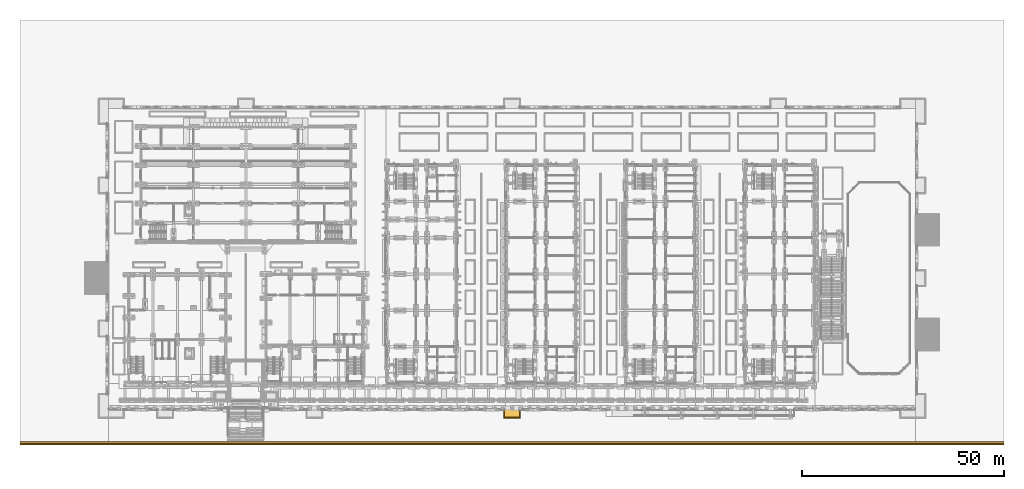
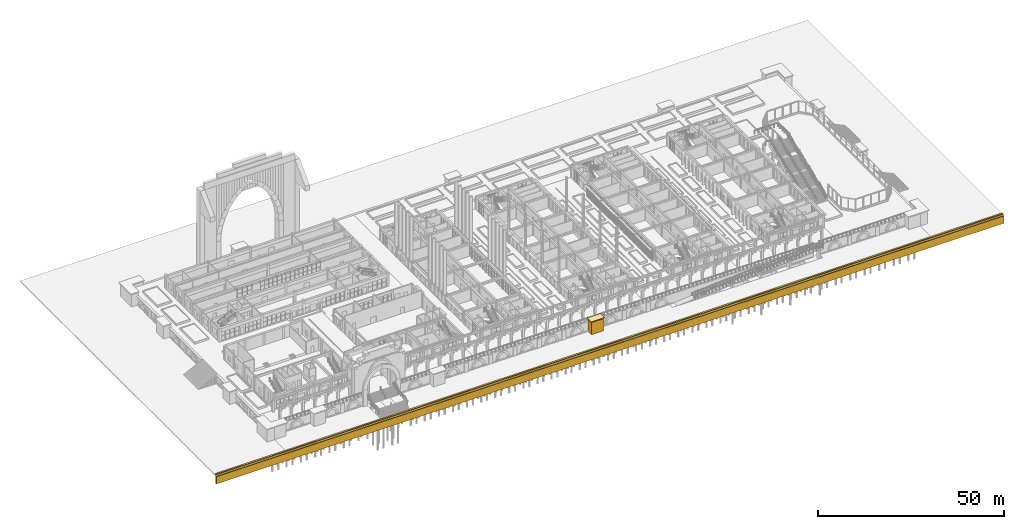
# One storey, part 96 of 161: 5 coverings.
"""IFC4 building model written with IfcOpenShell, lengths in metres."""

from ifc_helpers import new_model, si_unit, direction, frame, origin, place, context, subcontext, project, spatial, polyline, outline, extrude, material, layer, layer_set, type_object, element, save


model = new_model("IFC4")

# Units and contexts
model_context = context("Model", 3, precision=1e-05, world=origin(), true_north=direction((0.0, 1.0)))
body_context = subcontext(model_context, "Body", "Model", "MODEL_VIEW")
ifc_project = project(units=[si_unit("LENGTHUNIT", "METRE"), si_unit("AREAUNIT", "SQUARE_METRE"), si_unit("VOLUMEUNIT", "CUBIC_METRE"), si_unit("PLANEANGLEUNIT", "RADIAN"), si_unit("MASSUNIT", "GRAM", prefix="KILO")], contexts=[model_context])

# Site, building, storey
site_placement = place(None, origin())
site = spatial("IfcSite", under=ifc_project, at=site_placement, CompositionType="ELEMENT")
building_placement = place(site_placement, origin())
building = spatial("IfcBuilding", under=site, at=building_placement, Name="Elbe Cascade School", CompositionType="ELEMENT")
storey_placement = place(building_placement, origin())
storey = spatial("IfcBuildingStorey", under=building, at=storey_placement, Name="L00", CompositionType="ELEMENT", Elevation=0.0)

# Coverings
ifc_material_1 = material(Name="Sandstone - red", Category="masonry")
ifc_layer_1 = layer(ifc_material_1, 0.199951171875)
ifc_layer_set_1 = layer_set([ifc_layer_1], Name="Sandstone - red")
covering_type_1 = type_object("IfcCoveringType", Name="Bastion coping course 200", PredefinedType="CLADDING", material=ifc_layer_set_1)
covering_1_placement = place(storey_placement, frame((0.0, 0.0, 1.0)))
element("IfcCovering", 1, at=covering_1_placement, inside=storey, type_object=covering_type_1, Name="Bastion coping course 1 S3", PredefinedType="CLADDING", context=body_context, shape_type="SweptSolid", body=[
    extrude(outline(polyline([(101.949951171875, -2.64990234375), (101.949951171875, -0.56005859375), (98.050048828125, -0.56005859375), (98.050048828125, -2.64990234375), (101.949951171875, -2.64990234375)])), origin(), (0.0, 0.0, 1.0), 0.199951171875),
])
covering_2_placement = place(storey_placement, frame((0.0, 0.0, 1.199951171875)))
element("IfcCovering", 2, at=covering_2_placement, inside=storey, type_object=covering_type_1, Name="Bastion coping course 2 S3", PredefinedType="CLADDING", context=body_context, shape_type="SweptSolid", body=[
    extrude(outline(polyline([(102.10009765625, -2.800048828125), (102.10009765625, -0.56005859375), (97.89990234375, -0.56005859375), (97.89990234375, -2.800048828125), (102.10009765625, -2.800048828125)])), origin(), (0.0, 0.0, 1.0), 0.199951171875),
])
ifc_material_2 = material(Name="Sandstone - red", Category="masonry")
ifc_layer_2 = layer(ifc_material_2, 2.300048828125)
ifc_layer_set_2 = layer_set([ifc_layer_2], Name="Sandstone - red")
covering_type_2 = type_object("IfcCoveringType", Name="Plinth bastion 3600x2300", PredefinedType="CLADDING", material=ifc_layer_set_2)
covering_3_placement = place(storey_placement, frame((0.0, 0.0, -3.10009765625)))
element("IfcCovering", 3, at=covering_3_placement, inside=storey, type_object=covering_type_2, Name="Plinth bastion S3 1", PredefinedType="CLADDING", context=body_context, shape_type="SweptSolid", body=[
    extrude(outline(polyline([(98.199951171875, -2.5), (101.800048828125, -2.5), (101.800048828125, -0.56005859375), (98.199951171875, -0.56005859375), (98.199951171875, -2.5)])), origin(), (0.0, 0.0, 1.0), 4.10009765625),
])
ifc_material_3 = material(Name="Sandstone - red", Category="masonry")
ifc_layer_3 = layer(ifc_material_3, 0.300048828125)
ifc_layer_set_3 = layer_set([ifc_layer_3], Name="Sandstone - red")
covering_type_3 = type_object("IfcCoveringType", Name="River edge coping 500x300", PredefinedType="CLADDING", material=ifc_layer_set_3)
covering_4_placement = place(storey_placement, frame((0.0, 0.0, -3.10009765625)))
element("IfcCovering", 4, at=covering_4_placement, inside=storey, type_object=covering_type_3, Name="River edge coping", PredefinedType="CLADDING", context=body_context, shape_type="SweptSolid", body=[
    extrude(outline(polyline([(-22.0, -9.0), (222.0, -9.0), (222.0, -8.5), (-22.0, -8.5), (-22.0, -9.0)])), origin(), (0.0, 0.0, 1.0), 0.300048828125),
])
ifc_material_4 = material(Name="Sandstone - red", Category="masonry")
ifc_layer_4 = layer(ifc_material_4, 0.300048828125)
ifc_layer_set_4 = layer_set([ifc_layer_4], Name="Sandstone - red")
covering_type_4 = type_object("IfcCoveringType", Name="River edge facing 300x2400", PredefinedType="CLADDING", material=ifc_layer_set_4)
covering_5_placement = place(storey_placement, frame((0.0, 0.0, -5.800048828125)))
element("IfcCovering", 5, at=covering_5_placement, inside=storey, type_object=covering_type_4, Name="River edge facing", PredefinedType="CLADDING", context=body_context, shape_type="SweptSolid", body=[
    extrude(outline(polyline([(-22.0, -9.300048828125), (222.0, -9.300048828125), (222.0, -9.0), (-22.0, -9.0), (-22.0, -9.300048828125)])), origin(), (0.0, 0.0, 1.0), 2.400146484375),
])

save(model, "model.ifc")
